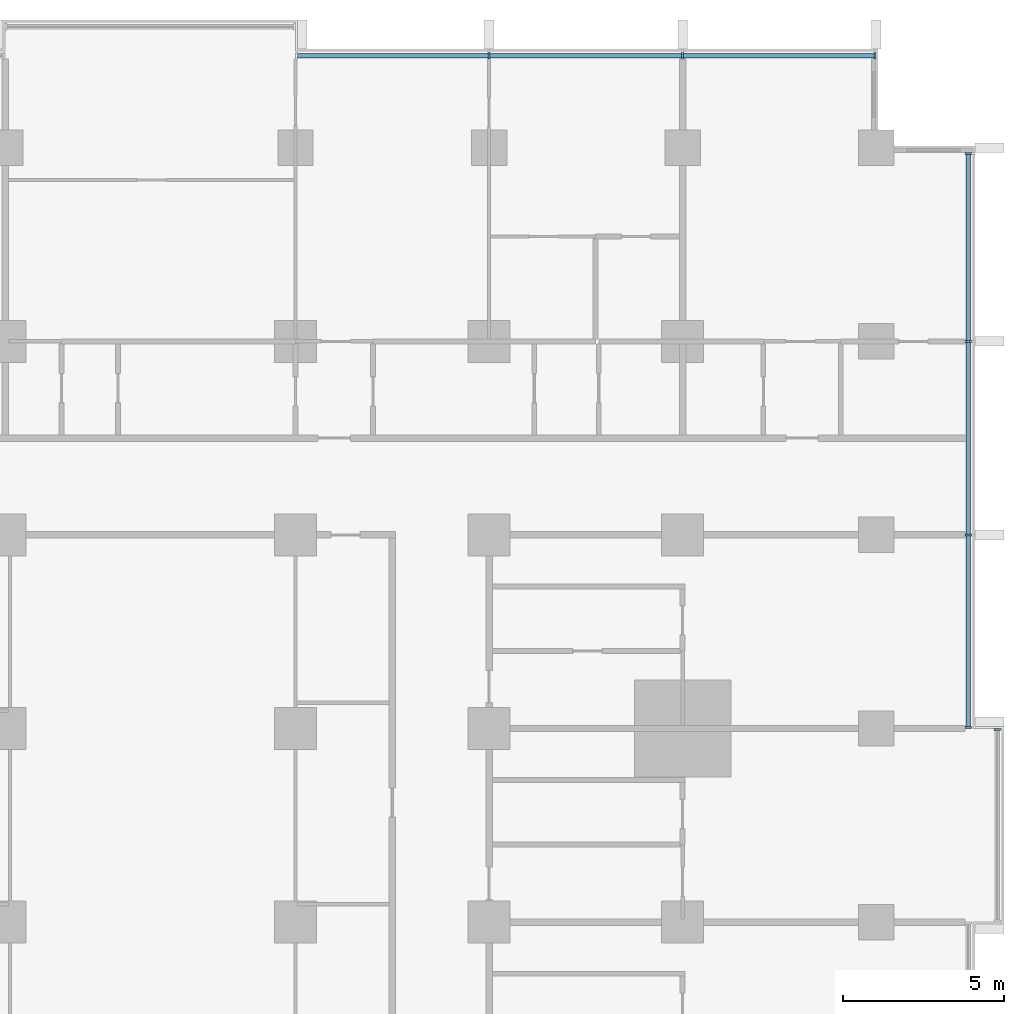
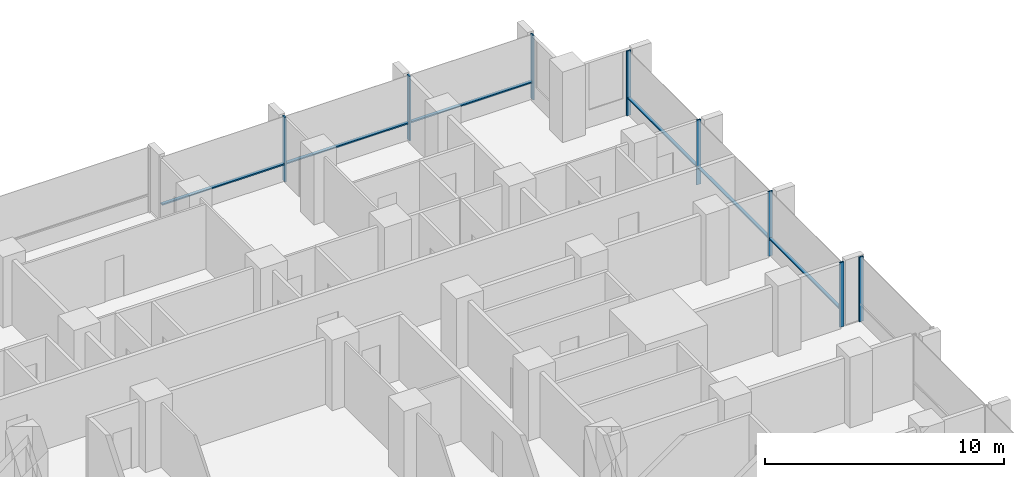
# One storey, part 5 of 18: 14 members, 3 elements without a shape of their own.
"""IFC4 building model written with IfcOpenShell, lengths in metres."""

from ifc_helpers import new_model, si_unit, direction, frame, origin, origin_2d, place, context, subcontext, project, spatial, rectangle, extrude, material, material_profile, profile_set, type_object, element, aggregate, save


model = new_model("IFC4")

# Units and contexts
model_context = context("Model", 3, precision=1e-05, world=origin(), true_north=direction((0.0, 1.0)))
body_context = subcontext(model_context, "Body", "Model", "MODEL_VIEW")
ifc_project = project(units=[si_unit("LENGTHUNIT", "METRE"), si_unit("AREAUNIT", "SQUARE_METRE"), si_unit("VOLUMEUNIT", "CUBIC_METRE"), si_unit("PLANEANGLEUNIT", "RADIAN"), si_unit("MASSUNIT", "GRAM", prefix="KILO")], contexts=[model_context])

# Site, building, storey
site_placement = place(None, origin())
site = spatial("IfcSite", under=ifc_project, at=site_placement, CompositionType="ELEMENT")
building_placement = place(site_placement, origin())
building = spatial("IfcBuilding", under=site, at=building_placement, Name="Finial Court Residences", CompositionType="ELEMENT")
storey_placement = place(building_placement, frame((0.0, 0.0, 50.5)))
storey = spatial("IfcBuildingStorey", under=building, at=storey_placement, Name="L11", CompositionType="ELEMENT", Elevation=50.5)

# Curtain wall, members
ifc_material = material(Name="Bronze anodised aluminium", Category="aluminium")
curtain_wall_type = type_object("IfcCurtainWallType", Name="Unitised curtain wall, lower and middle zones", PredefinedType="NOTDEFINED", material=ifc_material)
curtain_wall_1_placement = place(storey_placement, origin())
curtain_wall_1 = element("IfcCurtainWall", 1, at=curtain_wall_1_placement, inside=storey, type_object=curtain_wall_type, Name="E-L11-CW-N3", PredefinedType="NOTDEFINED")
ifc_material_profile_1 = material_profile(ifc_material, rectangle(XDim=0.199951171875, YDim=0.06494140625, at=origin_2d()), Name="CW1 mullion 65 x 200")
ifc_profile_set_1 = profile_set([ifc_material_profile_1], Name="Bronze anodised aluminium")
member_type_1 = type_object("IfcMemberType", Name="CW1 mullion 65 x 200", PredefinedType="MULLION", material=ifc_profile_set_1)
member_1_placement = place(storey_placement, frame((10.5, 28.35009765625, 0.0), z_axis=(0.0, 0.0, 1.0), x_axis=(0.0, 1.0, 0.0)))
member_1 = element("IfcMember", 2, at=member_1_placement, type_object=member_type_1, Name="CW1 mullion 2", PredefinedType="MULLION", context=body_context, shape_type="SweptSolid", body=[
    extrude(rectangle(XDim=0.199951171875, YDim=0.06494140625, at=origin_2d()), origin(), (0.0, 0.0, 1.0), 3.300048828125),
])
member_2_placement = place(storey_placement, frame((16.5, 28.35009765625, 0.0), z_axis=(0.0, 0.0, 1.0), x_axis=(0.0, 1.0, 0.0)))
member_2 = element("IfcMember", 3, at=member_2_placement, type_object=member_type_1, Name="CW1 mullion 3", PredefinedType="MULLION", context=body_context, shape_type="SweptSolid", body=[
    extrude(rectangle(XDim=0.199951171875, YDim=0.06494140625, at=origin_2d()), origin(), (0.0, 0.0, 1.0), 3.300048828125),
])
member_3_placement = place(storey_placement, frame((22.467529296875, 28.35009765625, 0.0), z_axis=(0.0, 0.0, 1.0), x_axis=(0.0, 1.0, 0.0)))
member_3 = element("IfcMember", 4, at=member_3_placement, type_object=member_type_1, Name="CW1 mullion 4", PredefinedType="MULLION", context=body_context, shape_type="SweptSolid", body=[
    extrude(rectangle(XDim=0.199951171875, YDim=0.06494140625, at=origin_2d()), origin(), (0.0, 0.0, 1.0), 3.300048828125),
])

# Curtain wall, member
curtain_wall_2_placement = place(storey_placement, origin())
curtain_wall_2 = element("IfcCurtainWall", 5, at=curtain_wall_2_placement, inside=storey, type_object=curtain_wall_type, Name="E-L11-CW-E5", PredefinedType="NOTDEFINED")
member_4_placement = place(storey_placement, frame((26.25, 7.467529296875, 0.0), z_axis=(0.0, 0.0, 1.0), x_axis=(-1.0, 0.0, 0.0)))
member_4 = element("IfcMember", 6, at=member_4_placement, type_object=member_type_1, Name="CW1 mullion 2", PredefinedType="MULLION", context=body_context, shape_type="SweptSolid", body=[
    extrude(rectangle(XDim=0.199951171875, YDim=0.06494140625, at=origin_2d()), origin(), (0.0, 0.0, 1.0), 3.300048828125),
])
aggregate(curtain_wall_2, [member_4])

# Curtain wall, members
curtain_wall_3_placement = place(storey_placement, origin())
curtain_wall_3 = element("IfcCurtainWall", 7, at=curtain_wall_3_placement, inside=storey, type_object=curtain_wall_type, Name="E-L11-CW-E6", PredefinedType="NOTDEFINED")
member_5_placement = place(storey_placement, frame((25.35009765625, 7.532470703125, 0.0), z_axis=(0.0, 0.0, 1.0), x_axis=(-1.0, 0.0, 0.0)))
member_5 = element("IfcMember", 8, at=member_5_placement, type_object=member_type_1, Name="CW1 mullion 1", PredefinedType="MULLION", context=body_context, shape_type="SweptSolid", body=[
    extrude(rectangle(XDim=0.199951171875, YDim=0.06494140625, at=origin_2d()), origin(), (0.0, 0.0, 1.0), 3.300048828125),
])
member_6_placement = place(storey_placement, frame((25.35009765625, 13.5, 0.0), z_axis=(0.0, 0.0, 1.0), x_axis=(-1.0, 0.0, 0.0)))
member_6 = element("IfcMember", 9, at=member_6_placement, type_object=member_type_1, Name="CW1 mullion 2", PredefinedType="MULLION", context=body_context, shape_type="SweptSolid", body=[
    extrude(rectangle(XDim=0.199951171875, YDim=0.06494140625, at=origin_2d()), origin(), (0.0, 0.0, 1.0), 3.300048828125),
])
member_7_placement = place(storey_placement, frame((25.35009765625, 19.5, 0.0), z_axis=(0.0, 0.0, 1.0), x_axis=(-1.0, 0.0, 0.0)))
member_7 = element("IfcMember", 10, at=member_7_placement, type_object=member_type_1, Name="CW1 mullion 3", PredefinedType="MULLION", context=body_context, shape_type="SweptSolid", body=[
    extrude(rectangle(XDim=0.199951171875, YDim=0.06494140625, at=origin_2d()), origin(), (0.0, 0.0, 1.0), 3.300048828125),
])
member_8_placement = place(storey_placement, frame((25.35009765625, 25.3173828125, 0.0), z_axis=(0.0, 0.0, 1.0), x_axis=(-1.0, 0.0, 0.0)))
member_8 = element("IfcMember", 11, at=member_8_placement, type_object=member_type_1, Name="CW1 mullion 4", PredefinedType="MULLION", context=body_context, shape_type="SweptSolid", body=[
    extrude(rectangle(XDim=0.199951171875, YDim=0.06494140625, at=origin_2d()), origin(), (0.0, 0.0, 1.0), 3.300048828125),
])

# Member
ifc_material_profile_2 = material_profile(ifc_material, rectangle(XDim=0.14990234375, YDim=0.06494140625, at=origin_2d()), Name="CW1 transom 65 x 150")
ifc_profile_set_2 = profile_set([ifc_material_profile_2], Name="Bronze anodised aluminium")
member_type_2 = type_object("IfcMemberType", Name="CW1 transom 65 x 150", PredefinedType="USERDEFINED", material=ifc_profile_set_2)
member_9_placement = place(storey_placement, frame((4.56494140625, 28.35009765625, 0.89990234375), z_axis=(1.0, 0.0, 0.0), x_axis=(0.0, 1.0, 0.0)))
member_9 = element("IfcMember", 12, at=member_9_placement, type_object=member_type_2, Name="CW1 transom 1.1", ObjectType="TRANSOM", PredefinedType="USERDEFINED", context=body_context, shape_type="SweptSolid", body=[
    extrude(rectangle(XDim=0.14990234375, YDim=0.06494140625, at=origin_2d()), origin(), (0.0, 0.0, 1.0), 5.902587890625),
])

member_10_placement = place(storey_placement, frame((10.532470703125, 28.35009765625, 0.89990234375), z_axis=(1.0, 0.0, 0.0), x_axis=(0.0, 1.0, 0.0)))
member_10 = element("IfcMember", 13, at=member_10_placement, type_object=member_type_2, Name="CW1 transom 2.1", ObjectType="TRANSOM", PredefinedType="USERDEFINED", context=body_context, shape_type="SweptSolid", body=[
    extrude(rectangle(XDim=0.14990234375, YDim=0.06494140625, at=origin_2d()), origin(), (0.0, 0.0, 1.0), 5.93505859375),
])

member_11_placement = place(storey_placement, frame((16.532470703125, 28.35009765625, 0.89990234375), z_axis=(1.0, 0.0, 0.0), x_axis=(0.0, 1.0, 0.0)))
member_11 = element("IfcMember", 14, at=member_11_placement, type_object=member_type_2, Name="CW1 transom 3.1", ObjectType="TRANSOM", PredefinedType="USERDEFINED", context=body_context, shape_type="SweptSolid", body=[
    extrude(rectangle(XDim=0.14990234375, YDim=0.06494140625, at=origin_2d()), origin(), (0.0, 0.0, 1.0), 5.902587890625),
])

aggregate(curtain_wall_1, [member_1, member_2, member_3, member_9, member_10, member_11])

member_12_placement = place(storey_placement, frame((25.35009765625, 7.56494140625, 0.89990234375), z_axis=(0.0, 1.0, 0.0), x_axis=(-1.0, 0.0, 0.0)))
member_12 = element("IfcMember", 15, at=member_12_placement, type_object=member_type_2, Name="CW1 transom 1.1", ObjectType="TRANSOM", PredefinedType="USERDEFINED", context=body_context, shape_type="SweptSolid", body=[
    extrude(rectangle(XDim=0.14990234375, YDim=0.06494140625, at=origin_2d()), origin(), (0.0, 0.0, 1.0), 5.902587890625),
])

member_13_placement = place(storey_placement, frame((25.35009765625, 13.532470703125, 0.89990234375), z_axis=(0.0, 1.0, 0.0), x_axis=(-1.0, 0.0, 0.0)))
member_13 = element("IfcMember", 16, at=member_13_placement, type_object=member_type_2, Name="CW1 transom 2.1", ObjectType="TRANSOM", PredefinedType="USERDEFINED", context=body_context, shape_type="SweptSolid", body=[
    extrude(rectangle(XDim=0.14990234375, YDim=0.06494140625, at=origin_2d()), origin(), (0.0, 0.0, 1.0), 5.93505859375),
])

member_14_placement = place(storey_placement, frame((25.35009765625, 19.532470703125, 0.89990234375), z_axis=(0.0, 1.0, 0.0), x_axis=(-1.0, 0.0, 0.0)))
member_14 = element("IfcMember", 17, at=member_14_placement, type_object=member_type_2, Name="CW1 transom 3.1", ObjectType="TRANSOM", PredefinedType="USERDEFINED", context=body_context, shape_type="SweptSolid", body=[
    extrude(rectangle(XDim=0.14990234375, YDim=0.06494140625, at=origin_2d()), origin(), (0.0, 0.0, 1.0), 5.75244140625),
])

aggregate(curtain_wall_3, [member_5, member_6, member_7, member_8, member_12, member_13, member_14])

save(model, "model.ifc")
